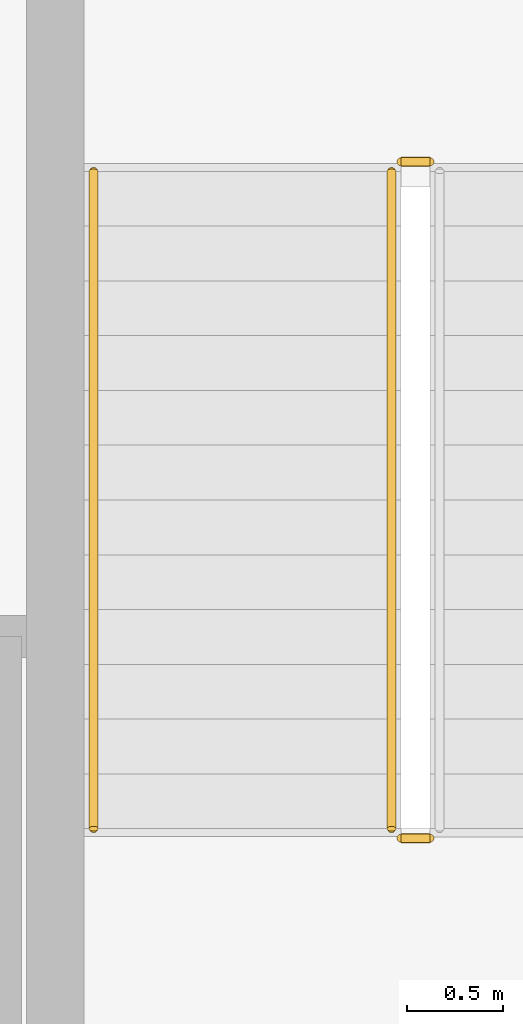
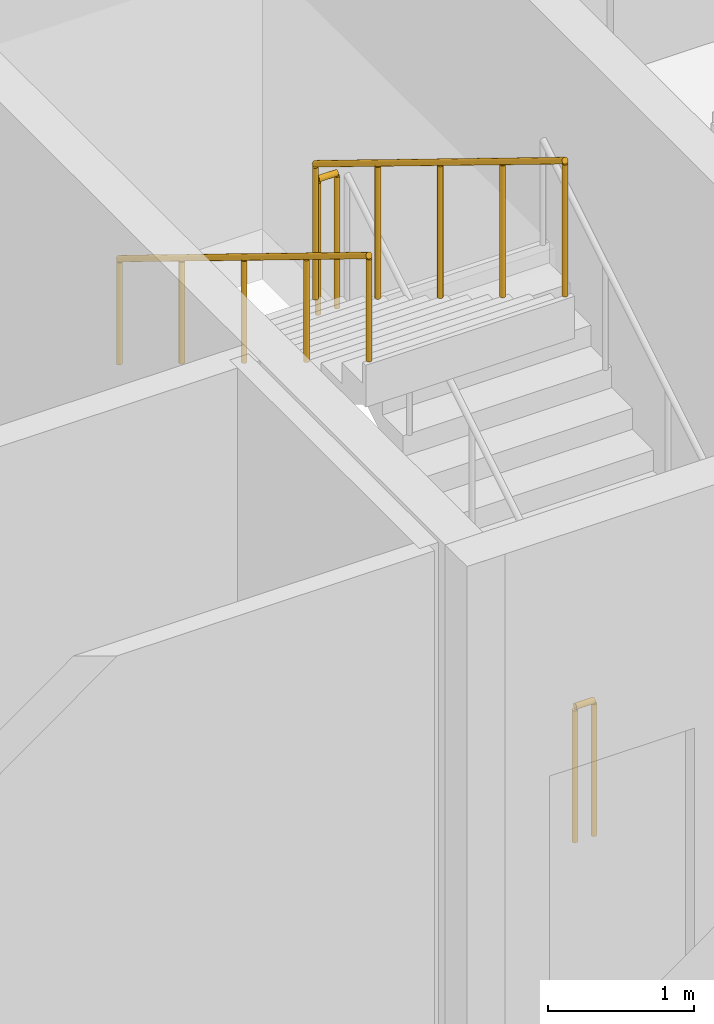
# One storey, part 12 of 13: 4 railings.
"""IFC4 building model written with IfcOpenShell, lengths in metres."""

from ifc_helpers import new_model, si_unit, direction, frame, origin, origin_2d, place, context, subcontext, project, spatial, circle, extrude, material, type_object, element, save


model = new_model("IFC4")

# Units and contexts
model_context = context("Model", 3, precision=1e-05, world=origin(), true_north=direction((0.0, 1.0)))
body_context = subcontext(model_context, "Body", "Model", "MODEL_VIEW")
ifc_project = project(units=[si_unit("LENGTHUNIT", "METRE"), si_unit("AREAUNIT", "SQUARE_METRE"), si_unit("VOLUMEUNIT", "CUBIC_METRE"), si_unit("PLANEANGLEUNIT", "RADIAN"), si_unit("MASSUNIT", "GRAM", prefix="KILO")], contexts=[model_context])

# Site, building, storey
site_placement = place(None, origin())
site = spatial("IfcSite", under=ifc_project, at=site_placement, CompositionType="ELEMENT")
building_placement = place(site_placement, origin())
building = spatial("IfcBuilding", under=site, at=building_placement, Name="Nhamokura Convention Tower", CompositionType="ELEMENT")
storey_placement = place(building_placement, frame((0.0, 0.0, 34.300048828125)))
storey = spatial("IfcBuildingStorey", under=building, at=storey_placement, Name="L06", CompositionType="ELEMENT", Elevation=34.300048828125)

# Railings
ifc_material_1 = material(Name="Anodised bronze stainless steel", Category="steel")
railing_type_1 = type_object("IfcRailingType", Name="StairWallHandrail_900", PredefinedType="HANDRAIL", material=ifc_material_1)
railing_1_placement = place(storey_placement, frame((30.300048828125, 38.570068359375, 2.449951171875)))
element("IfcRailing", 1, at=railing_1_placement, inside=storey, type_object=railing_type_1, Name="L06 ST-03 stair handrail 2", PredefinedType="HANDRAIL", context=body_context, shape_type="SweptSolid", body=[
    extrude(circle(Radius=0.02392578125, at=origin_2d()), frame((0.0, 0.0, 0.8759765625), z_axis=(0.0, -0.852171701593, 0.523262258341), x_axis=(1.0, 0.0, 0.0)), (0.0, 0.0, 1.0), 4.013427734375),
    extrude(circle(Radius=0.02099609375, at=origin_2d()), origin(), (0.0, 0.0, 1.0), 0.851806640625),
    extrude(circle(Radius=0.02099609375, at=origin_2d()), frame((0.0, -0.85498046875, 0.52490234375)), (0.0, 0.0, 1.0), 0.851806640625),
    extrude(circle(Radius=0.02099609375, at=origin_2d()), frame((0.0, -1.7099609375, 1.050048828125)), (0.0, 0.0, 1.0), 0.851806640625),
    extrude(circle(Radius=0.02099609375, at=origin_2d()), frame((0.0, -2.565185546875, 1.5751953125)), (0.0, 0.0, 1.0), 0.851806640625),
    extrude(circle(Radius=0.02099609375, at=origin_2d()), frame((0.0, -3.420166015625, 2.10009765625)), (0.0, 0.0, 1.0), 0.851806640625),
])
ifc_material_2 = material(Name="Painted tubular steel", Category="steel")
railing_type_2 = type_object("IfcRailingType", Name="StairWellGuardrail_1150", PredefinedType="GUARDRAIL", material=ifc_material_2)
railing_2_placement = place(storey_placement, frame((32.050048828125, 38.6201171875, 2.27490234375)))
element("IfcRailing", 2, at=railing_2_placement, inside=storey, type_object=railing_type_2, Name="L06 ST-03 stair guard 2", PredefinedType="GUARDRAIL", context=body_context, shape_type="SweptSolid", body=[
    extrude(circle(Radius=0.02392578125, at=origin_2d()), frame((0.0, 0.0, 1.1259765625), z_axis=(-1.0, 0.0, 0.0), x_axis=(0.0, -1.0, 0.0)), (0.0, 0.0, 1.0), 0.150146484375),
    extrude(circle(Radius=0.02099609375, at=origin_2d()), origin(), (0.0, 0.0, 1.0), 1.101806640625),
    extrude(circle(Radius=0.02099609375, at=origin_2d()), frame((-0.150146484375, 0.0, 0.0)), (0.0, 0.0, 1.0), 1.101806640625),
])
railing_3_placement = place(storey_placement, frame((31.85009765625, 38.570068359375, 2.449951171875)))
element("IfcRailing", 3, at=railing_3_placement, inside=storey, type_object=railing_type_2, Name="L06 ST-03 stair guard 3", PredefinedType="GUARDRAIL", context=body_context, shape_type="SweptSolid", body=[
    extrude(circle(Radius=0.02392578125, at=origin_2d()), frame((0.0, 0.0, 1.1259765625), z_axis=(0.0, -0.852171701593, 0.523262258341), x_axis=(1.0, 0.0, 0.0)), (0.0, 0.0, 1.0), 4.013427734375),
    extrude(circle(Radius=0.02099609375, at=origin_2d()), origin(), (0.0, 0.0, 1.0), 1.101806640625),
    extrude(circle(Radius=0.02099609375, at=origin_2d()), frame((0.0, -0.85498046875, 0.52490234375)), (0.0, 0.0, 1.0), 1.101806640625),
    extrude(circle(Radius=0.02099609375, at=origin_2d()), frame((0.0, -1.7099609375, 1.050048828125)), (0.0, 0.0, 1.0), 1.101806640625),
    extrude(circle(Radius=0.02099609375, at=origin_2d()), frame((0.0, -2.565185546875, 1.5751953125)), (0.0, 0.0, 1.0), 1.101806640625),
    extrude(circle(Radius=0.02099609375, at=origin_2d()), frame((0.0, -3.420166015625, 2.10009765625)), (0.0, 0.0, 1.0), 1.101806640625),
])
railing_4_placement = place(storey_placement, frame((32.050048828125, 35.10009765625, 0.0)))
element("IfcRailing", 4, at=railing_4_placement, inside=storey, type_object=railing_type_2, Name="L06 ST-03 stair guard 4", PredefinedType="GUARDRAIL", context=body_context, shape_type="SweptSolid", body=[
    extrude(circle(Radius=0.02392578125, at=origin_2d()), frame((0.0, 0.0, 1.1259765625), z_axis=(-1.0, 0.0, 0.0), x_axis=(0.0, -1.0, 0.0)), (0.0, 0.0, 1.0), 0.150146484375),
    extrude(circle(Radius=0.02099609375, at=origin_2d()), origin(), (0.0, 0.0, 1.0), 1.101806640625),
    extrude(circle(Radius=0.02099609375, at=origin_2d()), frame((-0.150146484375, 0.0, 0.0)), (0.0, 0.0, 1.0), 1.101806640625),
])

save(model, "model.ifc")
